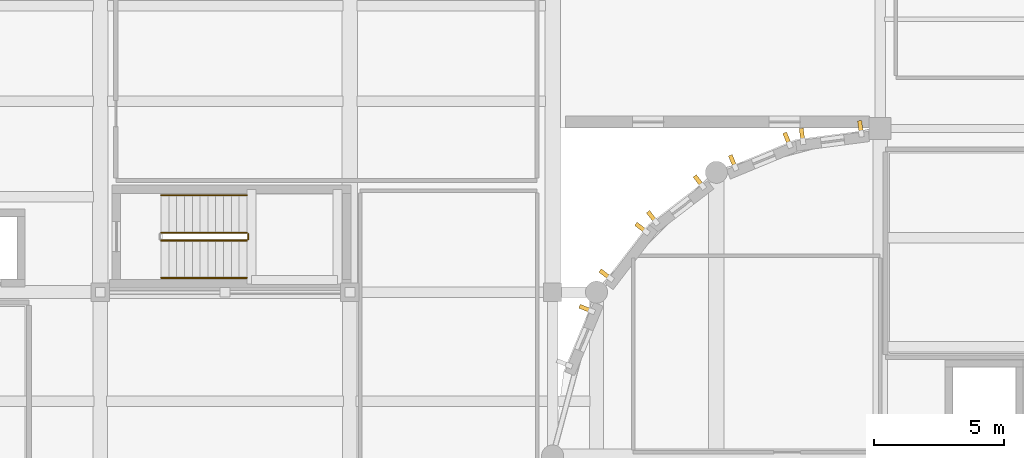
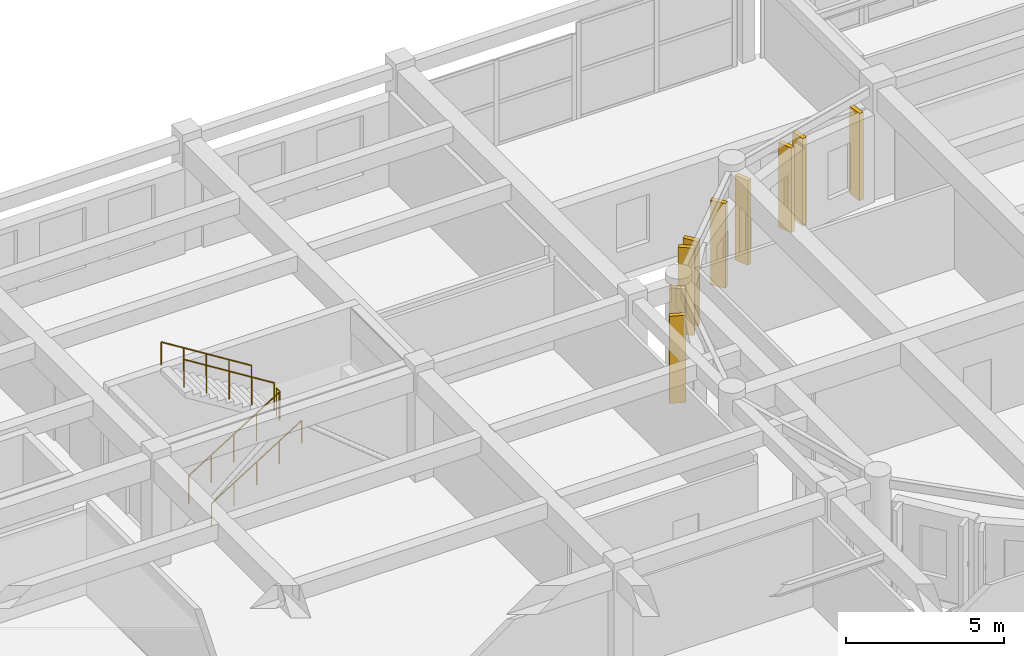
# One storey, part 87 of 92: 9 coverings, 5 railings.
"""IFC4 building model written with IfcOpenShell, lengths in metres."""

from ifc_helpers import new_model, si_unit, direction, frame, origin, origin_2d, place, context, subcontext, project, spatial, rectangle, circle, extrude, material, layer, layer_set, type_object, element, save


model = new_model("IFC4")

# Units and contexts
model_context = context("Model", 3, precision=1e-05, world=origin(), true_north=direction((0.0, 1.0)))
body_context = subcontext(model_context, "Body", "Model", "MODEL_VIEW")
ifc_project = project(units=[si_unit("LENGTHUNIT", "METRE"), si_unit("AREAUNIT", "SQUARE_METRE"), si_unit("VOLUMEUNIT", "CUBIC_METRE"), si_unit("PLANEANGLEUNIT", "RADIAN"), si_unit("MASSUNIT", "GRAM", prefix="KILO")], contexts=[model_context])

# Site, building, storey
site_placement = place(None, origin())
site = spatial("IfcSite", under=ifc_project, at=site_placement, CompositionType="ELEMENT")
building_placement = place(site_placement, origin())
building = spatial("IfcBuilding", under=site, at=building_placement, Name="Tarnavel Promenade Courthouse", CompositionType="ELEMENT")
storey_placement = place(building_placement, frame((0.0, 0.0, 5.39990234375)))
storey = spatial("IfcBuildingStorey", under=building, at=storey_placement, Name="L02", CompositionType="ELEMENT", Elevation=5.39990234375)

# Railings
ifc_material_1 = material(Name="Brushed Bronze Tubular Stair Handrail")
railing_type_1 = type_object("IfcRailingType", Name="Brushed Bronze Tubular Stair Handrail (RL-HND-0900)", PredefinedType="HANDRAIL", material=ifc_material_1)
railing_1_placement = place(storey_placement, frame((31.139892578125, 98.64990234375, 0.1875)))
element("IfcRailing", 1, at=railing_1_placement, inside=storey, type_object=railing_type_1, Name="L02 ST-07 stair handrail 1", PredefinedType="HANDRAIL", context=body_context, shape_type="SweptSolid", body=[
    extrude(circle(Radius=0.02392578125, at=origin_2d()), frame((0.0, 0.0, 0.8759765625), z_axis=(0.848001828478, 0.0, 0.529993300805), x_axis=(0.0, 1.0, 0.0)), (0.0, 0.0, 1.0), 3.8916015625),
    extrude(circle(Radius=0.02099609375, at=origin_2d()), origin(), (0.0, 0.0, 1.0), 0.851806640625),
    extrude(circle(Radius=0.02099609375, at=origin_2d()), frame((0.824951171875, 0.0, 0.515625)), (0.0, 0.0, 1.0), 0.851806640625),
    extrude(circle(Radius=0.02099609375, at=origin_2d()), frame((1.64990234375, 0.0, 1.03125)), (0.0, 0.0, 1.0), 0.851806640625),
    extrude(circle(Radius=0.02099609375, at=origin_2d()), frame((2.47509765625, 0.0, 1.546875)), (0.0, 0.0, 1.0), 0.851806640625),
    extrude(circle(Radius=0.02099609375, at=origin_2d()), frame((3.300048828125, 0.0, 2.0625)), (0.0, 0.0, 1.0), 0.851806640625),
])
railing_2_placement = place(storey_placement, frame((34.43994140625, 101.830078125, 2.4375)))
element("IfcRailing", 2, at=railing_2_placement, inside=storey, type_object=railing_type_1, Name="L02 ST-07 stair handrail 2", PredefinedType="HANDRAIL", context=body_context, shape_type="SweptSolid", body=[
    extrude(circle(Radius=0.02392578125, at=origin_2d()), frame((0.0, 0.0, 0.8759765625), z_axis=(-0.848001828478, 0.0, 0.529993300805), x_axis=(0.0, -1.0, 0.0)), (0.0, 0.0, 1.0), 3.8916015625),
    extrude(circle(Radius=0.02099609375, at=origin_2d()), origin(), (0.0, 0.0, 1.0), 0.851806640625),
    extrude(circle(Radius=0.02099609375, at=origin_2d()), frame((-0.824951171875, 0.0, 0.515625)), (0.0, 0.0, 1.0), 0.851806640625),
    extrude(circle(Radius=0.02099609375, at=origin_2d()), frame((-1.64990234375, 0.0, 1.03125)), (0.0, 0.0, 1.0), 0.851806640625),
    extrude(circle(Radius=0.02099609375, at=origin_2d()), frame((-2.47509765625, 0.0, 1.546875)), (0.0, 0.0, 1.0), 0.851806640625),
    extrude(circle(Radius=0.02099609375, at=origin_2d()), frame((-3.300048828125, 0.0, 2.0625)), (0.0, 0.0, 1.0), 0.851806640625),
])
ifc_material_2 = material(Name="Painted Architectural Steel Core Stair Guardrail", Category="steel")
railing_type_2 = type_object("IfcRailingType", Name="Painted Architectural Steel Core Stair Guardrail (RL-GRD-1100)", PredefinedType="GUARDRAIL", material=ifc_material_2)
railing_3_placement = place(storey_placement, frame((31.139892578125, 100.090087890625, 0.1875)))
element("IfcRailing", 3, at=railing_3_placement, inside=storey, type_object=railing_type_2, Name="L02 ST-07 stair guard 1", PredefinedType="GUARDRAIL", context=body_context, shape_type="SweptSolid", body=[
    extrude(circle(Radius=0.02392578125, at=origin_2d()), frame((0.0, 0.0, 1.076171875), z_axis=(0.848001828478, 0.0, 0.529993300805), x_axis=(0.0, 1.0, 0.0)), (0.0, 0.0, 1.0), 3.8916015625),
    extrude(circle(Radius=0.02099609375, at=origin_2d()), origin(), (0.0, 0.0, 1.0), 1.052001953125),
    extrude(circle(Radius=0.02099609375, at=origin_2d()), frame((0.824951171875, 0.0, 0.515625)), (0.0, 0.0, 1.0), 1.052001953125),
    extrude(circle(Radius=0.02099609375, at=origin_2d()), frame((1.64990234375, 0.0, 1.03125)), (0.0, 0.0, 1.0), 1.052001953125),
    extrude(circle(Radius=0.02099609375, at=origin_2d()), frame((2.47509765625, 0.0, 1.546875)), (0.0, 0.0, 1.0), 1.052001953125),
    extrude(circle(Radius=0.02099609375, at=origin_2d()), frame((3.300048828125, 0.0, 2.0625)), (0.0, 0.0, 1.0), 1.052001953125),
])
railing_4_placement = place(storey_placement, frame((34.489990234375, 100.139892578125, 2.25)))
element("IfcRailing", 4, at=railing_4_placement, inside=storey, type_object=railing_type_2, Name="L02 ST-07 stair guard 2", PredefinedType="GUARDRAIL", context=body_context, shape_type="SweptSolid", body=[
    extrude(circle(Radius=0.02392578125, at=origin_2d()), frame((0.0, 0.0, 1.076171875), z_axis=(0.0, 1.0, 0.0), x_axis=(-1.0, 0.0, 0.0)), (0.0, 0.0, 1.0), 0.2001953125),
    extrude(circle(Radius=0.02099609375, at=origin_2d()), origin(), (0.0, 0.0, 1.0), 1.052001953125),
    extrude(circle(Radius=0.02099609375, at=origin_2d()), frame((0.0, 0.2001953125, 0.0)), (0.0, 0.0, 1.0), 1.052001953125),
])
railing_5_placement = place(storey_placement, frame((34.43994140625, 100.389892578125, 2.4375)))
element("IfcRailing", 5, at=railing_5_placement, inside=storey, type_object=railing_type_2, Name="L02 ST-07 stair guard 3", PredefinedType="GUARDRAIL", context=body_context, shape_type="SweptSolid", body=[
    extrude(circle(Radius=0.02392578125, at=origin_2d()), frame((0.0, 0.0, 1.076171875), z_axis=(-0.848001828478, 0.0, 0.529993300805), x_axis=(0.0, -1.0, 0.0)), (0.0, 0.0, 1.0), 3.8916015625),
    extrude(circle(Radius=0.02099609375, at=origin_2d()), origin(), (0.0, 0.0, 1.0), 1.052001953125),
    extrude(circle(Radius=0.02099609375, at=origin_2d()), frame((-0.824951171875, 0.0, 0.515625)), (0.0, 0.0, 1.0), 1.052001953125),
    extrude(circle(Radius=0.02099609375, at=origin_2d()), frame((-1.64990234375, 0.0, 1.03125)), (0.0, 0.0, 1.0), 1.052001953125),
    extrude(circle(Radius=0.02099609375, at=origin_2d()), frame((-2.47509765625, 0.0, 1.546875)), (0.0, 0.0, 1.0), 1.052001953125),
    extrude(circle(Radius=0.02099609375, at=origin_2d()), frame((-3.300048828125, 0.0, 2.0625)), (0.0, 0.0, 1.0), 1.052001953125),
])

# Coverings
ifc_material_3 = material(Name="Patinated Copper-Bronze Fluted Pier Cladding")
ifc_layer = layer(ifc_material_3, 0.52001953125)
ifc_layer_set = layer_set([ifc_layer], Name="Patinated Copper-Bronze Fluted Pier Cladding")
covering_type = type_object("IfcCoveringType", Name="Patinated Copper-Bronze Fluted Pier Cladding COV-PIER-520 (520 mm)", PredefinedType="CLADDING", material=ifc_layer_set)
for number, where, z_axis, x_axis, name in (
    (6, (58.043212890625, 104.441650390625, 0.0), (0.0, 0.0, 1.0), (-0.991444861374, -0.13052619222, 0.0), "L02 W Drum Fluted Copper Pier 0031"),
    (7, (55.798095703125, 104.14599609375, 0.0), (0.0, 0.0, 1.0), (-0.991444861374, -0.13052619222, 0.0), "L02 W Drum Fluted Copper Pier 0032"),
):
    element("IfcCovering", number, at=place(storey_placement, frame(where, z_axis=z_axis, x_axis=x_axis)), inside=storey, type_object=covering_type, Name=name, PredefinedType="CLADDING", context=body_context, shape_type="SweptSolid", body=[
        extrude(rectangle(XDim=0.159912109375, YDim=0.52001953125, at=origin_2d()), origin(), (0.0, 0.0, 1.0), 3.3701171875),
    ])
for number, where, z_axis, x_axis, name in (
    (8, (55.2265625, 103.992919921875, 0.0), (0.0, 0.0, 1.0), (-0.923879532511, -0.382683432365, 0.0), "L02 W Drum Fluted Copper Pier 0033"),
    (9, (53.134765625, 103.12646484375, 0.0), (0.0, 0.0, 1.0), (-0.923879532511, -0.382683432365, 0.0), "L02 W Drum Fluted Copper Pier 0034"),
    (10, (51.82373046875, 102.369384765625, 0.0), (0.0, 0.0, 1.0), (-0.793353340291, -0.608761429009, 0.0), "L02 W Drum Fluted Copper Pier 0035"),
    (11, (50.02734375, 100.9912109375, 0.0), (0.0, 0.0, 1.0), (-0.793353340291, -0.608761429009, 0.0), "L02 W Drum Fluted Copper Pier 0036"),
):
    element("IfcCovering", number, at=place(storey_placement, frame(where, z_axis=z_axis, x_axis=x_axis)), inside=storey, type_object=covering_type, Name=name, PredefinedType="CLADDING", context=body_context, shape_type="SweptSolid", body=[
        extrude(rectangle(XDim=0.159912109375, YDim=0.52001953125, at=origin_2d()), origin(), (0.0, 0.0, 1.0), 3.27001953125),
    ])
for number, where, z_axis, x_axis, name in (
    (12, (49.60888671875, 100.572509765625, 0.0), (0.0, 0.0, 1.0), (-0.608761429009, -0.793353340291, 0.0), "L02 W Drum Fluted Copper Pier 0037"),
    (13, (48.23046875, 98.7763671875, 0.0), (0.0, 0.0, 1.0), (-0.608761429009, -0.793353340291, 0.0), "L02 W Drum Fluted Copper Pier 0038"),
    (14, (47.4736328125, 97.46533203125, 0.0), (0.0, 0.0, 1.0), (-0.382683432365, -0.923879532511, 0.0), "L02 W Drum Fluted Copper Pier 0039"),
):
    element("IfcCovering", number, at=place(storey_placement, frame(where, z_axis=z_axis, x_axis=x_axis)), inside=storey, type_object=covering_type, Name=name, PredefinedType="CLADDING", context=body_context, shape_type="SweptSolid", body=[
        extrude(rectangle(XDim=0.159912109375, YDim=0.52001953125, at=origin_2d()), origin(), (0.0, 0.0, 1.0), 3.3701171875),
    ])

save(model, "model.ifc")
